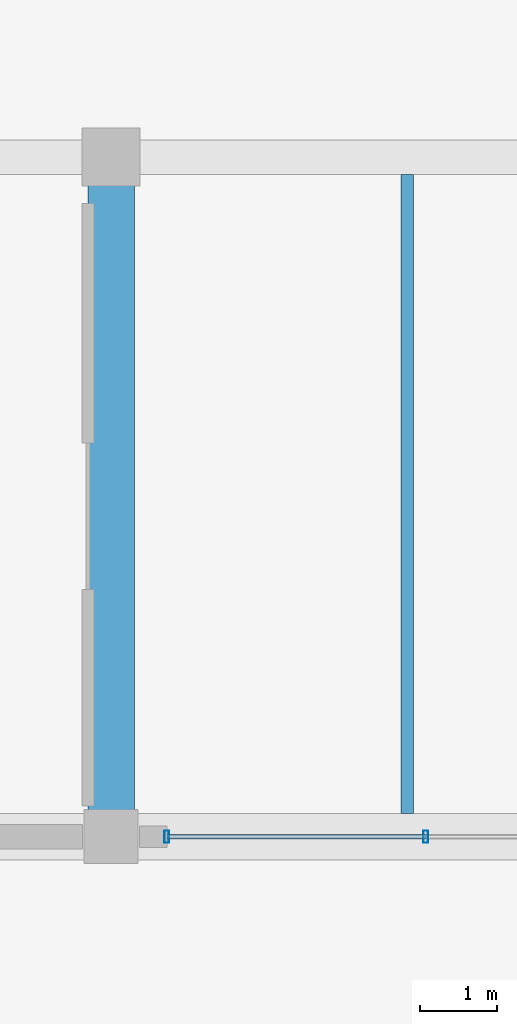
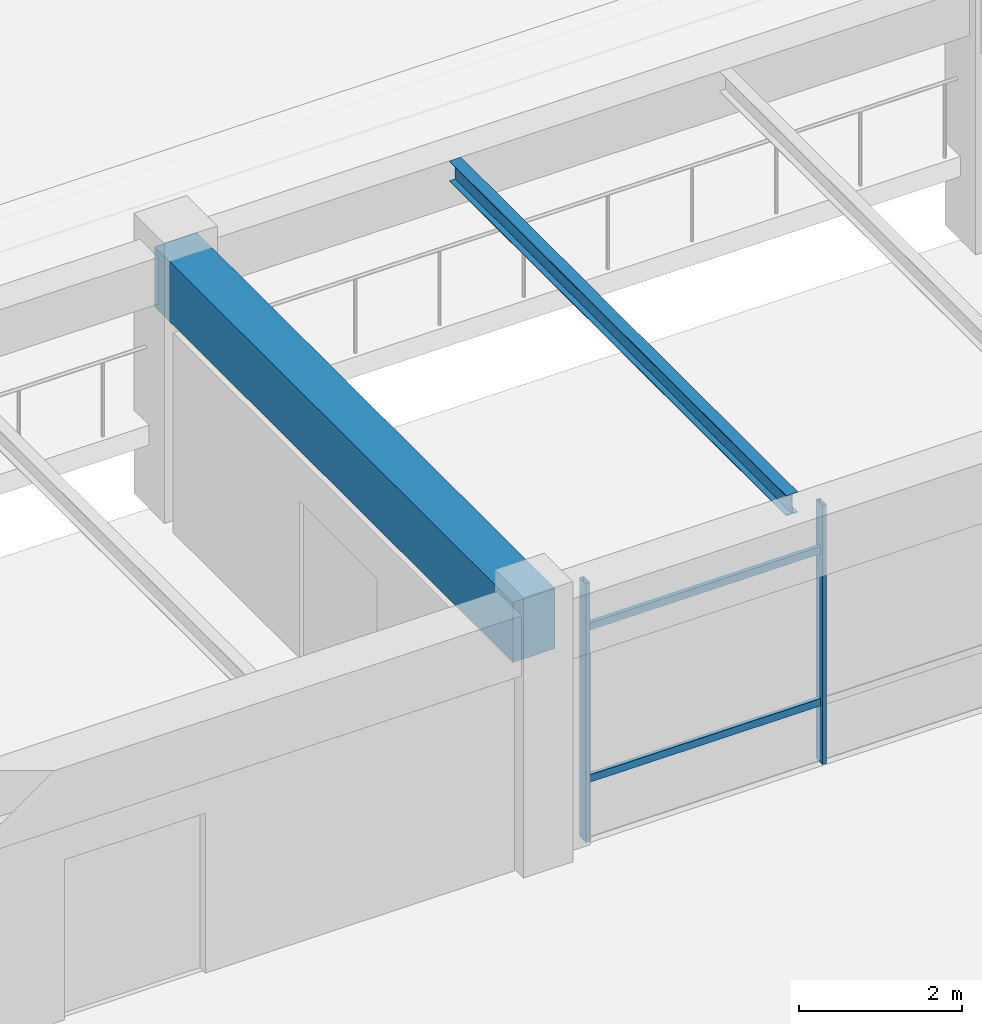
# One storey, part 60 of 109: 4 members, 2 beams, 1 element without a shape of its own.
"""IFC4 building model written with IfcOpenShell, lengths in metres."""

from ifc_helpers import new_model, si_unit, direction, frame, origin, origin_2d, place, context, subcontext, project, spatial, rectangle, hollow_rectangle, i_section, extrude, material, material_profile, profile_set, type_object, element, aggregate, save


model = new_model("IFC4")

# Units and contexts
model_context = context("Model", 3, precision=1e-05, world=origin(), true_north=direction((0.0, 1.0)))
body_context = subcontext(model_context, "Body", "Model", "MODEL_VIEW")
ifc_project = project(units=[si_unit("LENGTHUNIT", "METRE"), si_unit("AREAUNIT", "SQUARE_METRE"), si_unit("VOLUMEUNIT", "CUBIC_METRE"), si_unit("PLANEANGLEUNIT", "RADIAN"), si_unit("MASSUNIT", "GRAM", prefix="KILO")], contexts=[model_context])

# Site, building, storey
site_placement = place(None, origin())
site = spatial("IfcSite", under=ifc_project, at=site_placement, CompositionType="ELEMENT")
building_placement = place(site_placement, origin())
building = spatial("IfcBuilding", under=site, at=building_placement, Name="Ologun Quay Terminus", CompositionType="ELEMENT")
storey_placement = place(building_placement, origin())
storey = spatial("IfcBuildingStorey", under=building, at=storey_placement, Name="L00", CompositionType="ELEMENT", Elevation=0.0)

# Curtain wall, members
ifc_material_1 = material(Name="Aluminium 6063-T6", Category="aluminium")
curtain_wall_type = type_object("IfcCurtainWallType", Name="Forecourt Arcade Curtain Wall 10700x3750", PredefinedType="USERDEFINED", material=ifc_material_1)
curtain_wall_placement = place(storey_placement, origin())
curtain_wall = element("IfcCurtainWall", 1, at=curtain_wall_placement, inside=storey, type_object=curtain_wall_type, Name="CW-03 Curtain Wall CW-L00-009", ObjectType="UNITISED CURTAIN WALL", PredefinedType="USERDEFINED")
ifc_material_2 = material(Name="Aluminium 6063-T6", Category="aluminium")
ifc_material_profile_1 = material_profile(ifc_material_2, hollow_rectangle(XDim=0.06005859375, YDim=0.159912109375, WallThickness=0.00390625, at=origin_2d()), Name="ALU 160x60x4")
ifc_profile_set_1 = profile_set([ifc_material_profile_1], Name="Aluminium 6063-T6")
member_type_1 = type_object("IfcMemberType", Name="Curtain Wall Standard Mullion 160x65", PredefinedType="MULLION", material=ifc_profile_set_1)
member_1_placement = place(storey_placement, frame((161.719970703125, 27.199951171875, 0.0), z_axis=(0.0, 0.0, 1.0), x_axis=(1.0, 0.0, 0.0)))
member_1 = element("IfcMember", 2, at=member_1_placement, type_object=member_type_1, Name="CW-L00-009 Mullion 1", PredefinedType="MULLION", context=body_context, shape_type="SweptSolid", body=[
    extrude(hollow_rectangle(XDim=0.06005859375, YDim=0.159912109375, WallThickness=0.00390625, at=origin_2d()), origin(), (0.0, 0.0, 1.0), 3.8798828125),
])
member_2_placement = place(storey_placement, frame((165.0732421875, 27.199951171875, 0.0), z_axis=(0.0, 0.0, 1.0), x_axis=(1.0, 0.0, 0.0)))
member_2 = element("IfcMember", 3, at=member_2_placement, type_object=member_type_1, Name="CW-L00-009 Mullion 2", PredefinedType="MULLION", context=body_context, shape_type="SweptSolid", body=[
    extrude(hollow_rectangle(XDim=0.06005859375, YDim=0.159912109375, WallThickness=0.00390625, at=origin_2d()), origin(), (0.0, 0.0, 1.0), 3.8798828125),
])
ifc_material_3 = material(Name="Aluminium 6063-T6", Category="aluminium")
ifc_material_profile_2 = material_profile(ifc_material_3, hollow_rectangle(XDim=0.054931640625, YDim=0.110107421875, WallThickness=0.00390625, at=origin_2d()), Name="ALU 110x55x4")
ifc_profile_set_2 = profile_set([ifc_material_profile_2], Name="Aluminium 6063-T6")
member_type_2 = type_object("IfcMemberType", Name="Curtain Wall Standard Transom 110x55", PredefinedType="USERDEFINED", material=ifc_profile_set_2)
member_3_placement = place(storey_placement, frame((161.719970703125, 27.199951171875, 0.89990234375), z_axis=(1.0, 0.0, 0.0), x_axis=(0.0, 1.0, 0.0)))
member_3 = element("IfcMember", 4, at=member_3_placement, type_object=member_type_2, Name="CW-L00-009 Transom B1-1", ObjectType="TRANSOM", PredefinedType="USERDEFINED", context=body_context, shape_type="SweptSolid", body=[
    extrude(hollow_rectangle(XDim=0.054931640625, YDim=0.110107421875, WallThickness=0.00390625, at=origin_2d()), origin(), (0.0, 0.0, 1.0), 3.353271484375),
])
member_4_placement = place(storey_placement, frame((161.719970703125, 27.199951171875, 3.179931640625), z_axis=(1.0, 0.0, 0.0), x_axis=(0.0, 1.0, 0.0)))
member_4 = element("IfcMember", 5, at=member_4_placement, type_object=member_type_2, Name="CW-L00-009 Transom B1-2", ObjectType="TRANSOM", PredefinedType="USERDEFINED", context=body_context, shape_type="SweptSolid", body=[
    extrude(hollow_rectangle(XDim=0.054931640625, YDim=0.110107421875, WallThickness=0.00390625, at=origin_2d()), origin(), (0.0, 0.0, 1.0), 3.353271484375),
])
aggregate(curtain_wall, [member_1, member_2, member_3, member_4])

# Beams
ifc_material_4 = material(Name="Steel S355", Category="steel")
ifc_material_profile_3 = material_profile(ifc_material_4, i_section(OverallWidth=0.1650390625, OverallDepth=0.303466796875, WebThickness=0.006103515625, FlangeThickness=0.01025390625, at=origin_2d()), Name="UKB 305x165x40")
ifc_profile_set_3 = profile_set([ifc_material_profile_3], Name="Steel S355")
beam_type_1 = type_object("IfcBeamType", Name="Mezzanine Steel Joist UKB305", PredefinedType="JOIST", material=ifc_profile_set_3)
beam_1_placement = place(storey_placement, frame((164.833251953125, 27.5, 3.748291015625), z_axis=(0.0, 1.0, 0.0), x_axis=(-1.0, 0.0, 0.0)))
element("IfcBeam", 6, at=beam_1_placement, inside=storey, type_object=beam_type_1, Name="SJ1 Beam 15/D L00", PredefinedType="JOIST", context=body_context, shape_type="SweptSolid", body=[
    extrude(i_section(OverallWidth=0.1650390625, OverallDepth=0.303466796875, WebThickness=0.006103515625, FlangeThickness=0.01025390625, at=origin_2d()), origin(), (0.0, 0.0, 1.0), 8.27490234375),
])
ifc_material_5 = material(Name="Concrete C40/50", Category="concrete")
ifc_material_profile_4 = material_profile(ifc_material_5, rectangle(XDim=0.60009765625, YDim=0.89990234375, at=origin_2d()), Name="RC 600x900")
ifc_profile_set_4 = profile_set([ifc_material_profile_4], Name="Concrete C40/50")
beam_type_2 = type_object("IfcBeamType", Name="Station Frame Girder 600x900", PredefinedType="BEAM", material=ifc_profile_set_4)
beam_2_placement = place(storey_placement, frame((161.0, 27.199951171875, 3.449951171875), z_axis=(0.0, 1.0, 0.0), x_axis=(-1.0, 0.0, 0.0)))
element("IfcBeam", 7, at=beam_2_placement, inside=storey, type_object=beam_type_2, Name="B3 Beam 15/D L00", PredefinedType="BEAM", context=body_context, shape_type="SweptSolid", body=[
    extrude(rectangle(XDim=0.60009765625, YDim=0.89990234375, at=origin_2d()), origin(), (0.0, 0.0, 1.0), 8.800048828125),
])

save(model, "model.ifc")
